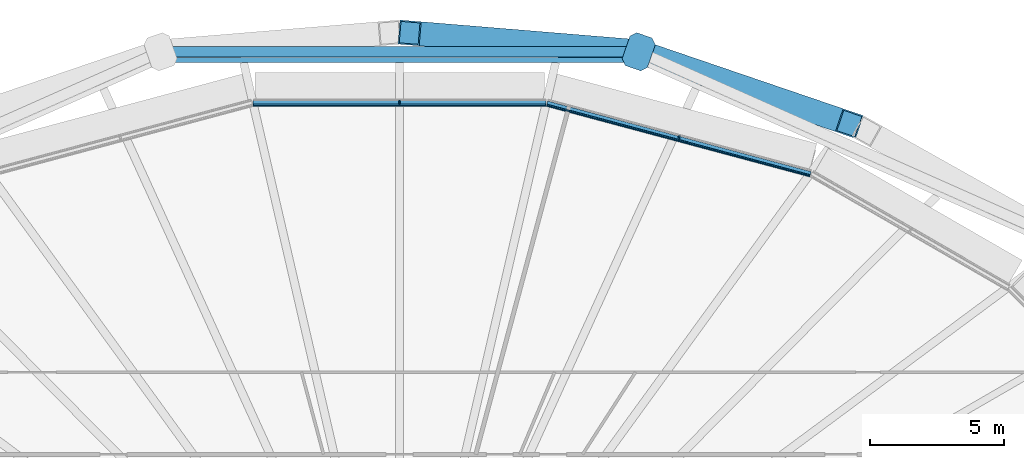
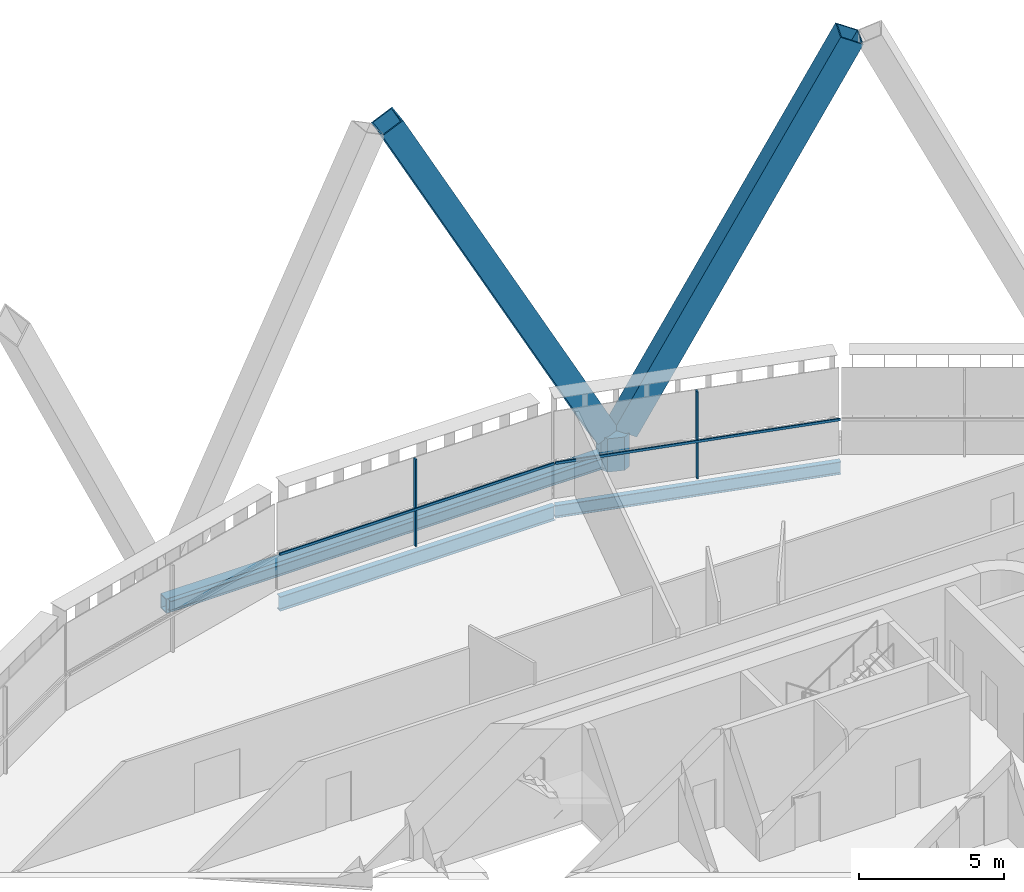
# One storey, part 11 of 26: 7 members, 4 beams, 2 elements without a shape of their own.
"""IFC4 building model written with IfcOpenShell, lengths in metres."""

from ifc_helpers import new_model, si_unit, direction, frame, origin, origin_2d, place, context, subcontext, project, spatial, polyline, rectangle, hollow_rectangle, i_section, outline, extrude, material, layer, layer_set, material_profile, profile_set, type_object, element, aggregate, save


model = new_model("IFC4")

# Units and contexts
model_context = context("Model", 3, precision=1e-05, world=origin(), true_north=direction((0.0, 1.0)))
body_context = subcontext(model_context, "Body", "Model", "MODEL_VIEW")
ifc_project = project(units=[si_unit("LENGTHUNIT", "METRE"), si_unit("AREAUNIT", "SQUARE_METRE"), si_unit("VOLUMEUNIT", "CUBIC_METRE"), si_unit("PLANEANGLEUNIT", "RADIAN"), si_unit("MASSUNIT", "GRAM", prefix="KILO")], contexts=[model_context])

# Site, building, storey
site_placement = place(None, origin())
site = spatial("IfcSite", under=ifc_project, at=site_placement, CompositionType="ELEMENT")
building_placement = place(site_placement, origin())
building = spatial("IfcBuilding", under=site, at=building_placement, Name="Sahrelin Media Tower", CompositionType="ELEMENT")
storey_placement = place(building_placement, frame((0.0, 0.0, 131.39990234375)))
storey = spatial("IfcBuildingStorey", under=building, at=storey_placement, Name="L26", CompositionType="ELEMENT", Elevation=131.39990234375)

# Members
ifc_material_1 = material(Name="Steel S460", Category="steel")
ifc_material_profile_1 = material_profile(ifc_material_1, hollow_rectangle(XDim=0.89990234375, YDim=0.89990234375, WallThickness=0.050048828125, at=origin_2d()), Name="Diagrid diagonal DG3")
ifc_profile_set_1 = profile_set([ifc_material_profile_1], Name="Steel S460")
member_type_1 = type_object("IfcMemberType", Name="Diagrid diagonal DG3", PredefinedType="BRACE", material=ifc_profile_set_1)
member_1_placement = place(storey_placement, frame((9.25732421875, 25.49462890625, 0.7001953125), z_axis=(0.433754821512, -0.147868079685, 0.888814820885), x_axis=(0.322668293279, 0.946512109015, 0.0)))
element("IfcMember", 1, at=member_1_placement, inside=storey, type_object=member_type_1, Name="Diagrid diagonal D05-04", PredefinedType="BRACE", context=body_context, shape_type="SweptSolid", body=[
    extrude(hollow_rectangle(XDim=0.89990234375, YDim=0.89990234375, WallThickness=0.050048828125, at=origin_2d()), origin(), (0.0, 0.0, 1.0), 17.326416015625),
])
member_2_placement = place(storey_placement, frame((8.544189453125, 25.641845703125, 0.7001953125), z_axis=(-0.468421655714, 0.03859318675, 0.882661723649), x_axis=(-0.082111624118, -0.996623138997, 0.0)))
element("IfcMember", 2, at=member_2_placement, inside=storey, type_object=member_type_1, Name="Diagrid diagonal D05-05", PredefinedType="BRACE", context=body_context, shape_type="SweptSolid", body=[
    extrude(hollow_rectangle(XDim=0.89990234375, YDim=0.89990234375, WallThickness=0.050048828125, at=origin_2d()), origin(), (0.0, 0.0, 1.0), 17.447021484375),
])
ifc_material_profile_2 = material_profile(ifc_material_1, outline(polyline([(0.449951171875, -0.5), (0.64990234375, -0.300048828125), (0.64990234375, 0.300048828125), (0.449951171875, 0.5), (-0.449951171875, 0.5), (-0.64990234375, 0.300048828125), (-0.64990234375, -0.300048828125), (-0.449951171875, -0.5), (0.449951171875, -0.5)])), Name="Diagrid node block 1300")
ifc_profile_set_2 = profile_set([ifc_material_profile_2], Name="Steel S460")
member_type_2 = type_object("IfcMemberType", Name="Diagrid node block 1300", PredefinedType="USERDEFINED", material=ifc_profile_set_2)
member_3_placement = place(storey_placement, frame((8.915771484375, 25.611083984375, -0.699951171875), z_axis=(0.0, 0.0, 1.0), x_axis=(0.328769398381, 0.944410230085, 0.0)))
element("IfcMember", 3, at=member_3_placement, inside=storey, type_object=member_type_2, Name="Diagrid node N05-02", ObjectType="NODE", PredefinedType="USERDEFINED", context=body_context, shape_type="SweptSolid", body=[
    extrude(outline(polyline([(0.449951171875, -0.5), (0.64990234375, -0.300048828125), (0.64990234375, 0.300048828125), (0.449951171875, 0.5), (-0.449951171875, 0.5), (-0.64990234375, 0.300048828125), (-0.64990234375, -0.300048828125), (-0.449951171875, -0.5), (0.449951171875, -0.5)])), origin(), (0.0, 0.0, 1.0), 1.400146484375),
])

# Beams
ifc_material_profile_3 = material_profile(ifc_material_1, hollow_rectangle(XDim=0.39990234375, YDim=0.60009765625, WallThickness=0.030029296875, at=origin_2d()), Name="Diagrid ring beam RB1")
ifc_profile_set_3 = profile_set([ifc_material_profile_3], Name="Steel S460")
beam_type_1 = type_object("IfcBeamType", Name="Diagrid ring beam RB1", PredefinedType="BEAM", material=ifc_profile_set_3)
beam_1_placement = place(storey_placement, frame((8.915771484375, 25.611083984375, -0.449951171875), z_axis=(-1.0, 0.0, 0.0), x_axis=(0.0, -1.0, 0.0)))
element("IfcBeam", 4, at=beam_1_placement, inside=storey, type_object=beam_type_1, Name="Diagrid ring beam RB05-02", PredefinedType="BEAM", context=body_context, shape_type="SweptSolid", body=[
    extrude(hollow_rectangle(XDim=0.39990234375, YDim=0.60009765625, WallThickness=0.030029296875, at=origin_2d()), origin(), (0.0, 0.0, 1.0), 17.83154296875),
])
ifc_material_2 = material(Name="Steel S355", Category="steel")
ifc_material_profile_4 = material_profile(ifc_material_2, i_section(OverallWidth=0.208740234375, OverallDepth=0.5283203125, WebThickness=0.009521484375, FlangeThickness=0.01318359375, FilletRadius=0.0126953125, at=origin_2d()), Name="UB 533x210x82")
ifc_profile_set_4 = profile_set([ifc_material_profile_4], Name="Steel S355")
beam_type_2 = type_object("IfcBeamType", Name="Edge beam EB6", PredefinedType="BEAM", material=ifc_profile_set_4)
beam_2_placement = place(storey_placement, frame((5.4921875, 23.673095703125, -0.4140625), z_axis=(0.965933162878, -0.258791663026, 0.0), x_axis=(0.258791663026, 0.965933162878, 0.0)))
element("IfcBeam", 5, at=beam_2_placement, inside=storey, type_object=beam_type_2, Name="Edge beam L26-20", PredefinedType="BEAM", context=body_context, shape_type="SweptSolid", body=[
    extrude(i_section(OverallWidth=0.208740234375, OverallDepth=0.5283203125, WebThickness=0.009521484375, FlangeThickness=0.01318359375, FilletRadius=0.0126953125, at=origin_2d()), origin(), (0.0, 0.0, 1.0), 10.173583984375),
])
ifc_material_profile_5 = material_profile(ifc_material_2, i_section(OverallWidth=0.2275390625, OverallDepth=0.6025390625, WebThickness=0.010498046875, FlangeThickness=0.014892578125, FilletRadius=0.0126953125, at=origin_2d()), Name="UB 610x229x101")
ifc_profile_set_5 = profile_set([ifc_material_profile_5], Name="Steel S355")
beam_type_3 = type_object("IfcBeamType", Name="Edge beam EB7", PredefinedType="BEAM", material=ifc_profile_set_5)
beam_3_placement = place(storey_placement, frame((-5.463623046875, 23.677001953125, -0.451171875), z_axis=(1.0, 0.0, 0.0), x_axis=(0.0, 1.0, 0.0)))
element("IfcBeam", 6, at=beam_3_placement, inside=storey, type_object=beam_type_3, Name="Edge beam L26-19", PredefinedType="BEAM", context=body_context, shape_type="SweptSolid", body=[
    extrude(i_section(OverallWidth=0.2275390625, OverallDepth=0.6025390625, WebThickness=0.010498046875, FlangeThickness=0.014892578125, FilletRadius=0.0126953125, at=origin_2d()), origin(), (0.0, 0.0, 1.0), 10.92724609375),
])

# Curtain wall, member
ifc_material_3 = material(Name="Champagne anodised aluminium 6063-T6", Category="aluminium")
ifc_layer = layer(ifc_material_3, 0.14990234375)
ifc_layer_set = layer_set([ifc_layer], Name="Tower ribbon curtain wall")
curtain_wall_type = type_object("IfcCurtainWallType", Name="Tower ribbon curtain wall", PredefinedType="NOTDEFINED", material=ifc_layer_set)
curtain_wall_1_placement = place(storey_placement, frame((10.4443359375, 22.501708984375, 0.0), z_axis=(0.0, 0.0, 1.0), x_axis=(1.0, 0.0, 0.0)))
curtain_wall_1 = element("IfcCurtainWall", 7, at=curtain_wall_1_placement, inside=storey, type_object=curtain_wall_type, Name="L26:CW:L26-05", PredefinedType="NOTDEFINED")
ifc_material_profile_6 = material_profile(ifc_material_3, rectangle(XDim=0.06005859375, YDim=0.14990234375, at=origin_2d()), Name="Mullion 60x150")
ifc_profile_set_6 = profile_set([ifc_material_profile_6], Name="Champagne anodised aluminium 6063-T6")
member_type_3 = type_object("IfcMemberType", Name="Mullion 60x150 CW1", PredefinedType="MULLION", material=ifc_profile_set_6)
member_4_placement = place(storey_placement, frame((10.419921875, 22.409912109375, 0.0), z_axis=(0.0, 0.0, 1.0), x_axis=(-0.965926278012, 0.258817359244, 0.0)))
member_4 = element("IfcMember", 8, at=member_4_placement, type_object=member_type_3, Name="L26:CWM:L26-05", PredefinedType="MULLION", context=body_context, shape_type="SweptSolid", body=[
    extrude(rectangle(XDim=0.06005859375, YDim=0.14990234375, at=origin_2d()), origin(), (0.0, 0.0, 1.0), 3.648681640625),
])

curtain_wall_2_placement = place(storey_placement, frame((0.0, 23.826904296875, 0.0), z_axis=(0.0, 0.0, 1.0), x_axis=(1.0, 0.0, 0.0)))
curtain_wall_2 = element("IfcCurtainWall", 9, at=curtain_wall_2_placement, inside=storey, type_object=curtain_wall_type, Name="L26:CW:L26-06", PredefinedType="NOTDEFINED")
member_5_placement = place(storey_placement, frame((0.0, 23.73193359375, 0.0), z_axis=(0.0, 0.0, 1.0), x_axis=(-1.0, 0.0, 0.0)))
member_5 = element("IfcMember", 10, at=member_5_placement, type_object=member_type_3, Name="L26:CWM:L26-06", PredefinedType="MULLION", context=body_context, shape_type="SweptSolid", body=[
    extrude(rectangle(XDim=0.06005859375, YDim=0.14990234375, at=origin_2d()), origin(), (0.0, 0.0, 1.0), 3.648681640625),
])

# Beam
ifc_material_profile_7 = material_profile(ifc_material_2, i_section(OverallWidth=0.1904296875, OverallDepth=0.45703125, WebThickness=0.009033203125, FlangeThickness=0.014404296875, FilletRadius=0.01025390625, at=origin_2d()), Name="UB 457x191x74")
ifc_profile_set_7 = profile_set([ifc_material_profile_7], Name="Steel S355")
beam_type_4 = type_object("IfcBeamType", Name="Tie chord TC5", PredefinedType="BEAM", material=ifc_profile_set_7)
beam_4_placement = place(storey_placement, frame((-8.85205078125, 25.31103515625, -0.37841796875), z_axis=(1.0, 0.0, 0.0), x_axis=(0.0, 1.0, 0.0)))
element("IfcBeam", 11, at=beam_4_placement, inside=storey, type_object=beam_type_4, Name="Tie chord L26-10", PredefinedType="BEAM", context=body_context, shape_type="SweptSolid", body=[
    extrude(i_section(OverallWidth=0.1904296875, OverallDepth=0.45703125, WebThickness=0.009033203125, FlangeThickness=0.014404296875, FilletRadius=0.01025390625, at=origin_2d()), origin(), (0.0, 0.0, 1.0), 17.7041015625),
])

# Member
ifc_material_profile_8 = material_profile(ifc_material_3, rectangle(XDim=0.050048828125, YDim=0.10009765625, at=origin_2d()), Name="Transom 50x100")
ifc_profile_set_8 = profile_set([ifc_material_profile_8], Name="Champagne anodised aluminium 6063-T6")
member_type_4 = type_object("IfcMemberType", Name="Transom 50x100 CW1", PredefinedType="USERDEFINED", material=ifc_profile_set_8)
member_6_placement = place(storey_placement, frame((15.2919921875, 21.000732421875, 1.60009765625), z_axis=(-0.965924197151, 0.25882512505, 0.0), x_axis=(-0.25882512505, -0.965924197151, 0.0)))
member_6 = element("IfcMember", 12, at=member_6_placement, type_object=member_type_4, Name="L26:CWT:L26-05", ObjectType="TRANSOM", PredefinedType="USERDEFINED", context=body_context, shape_type="SweptSolid", body=[
    extrude(rectangle(XDim=0.050048828125, YDim=0.10009765625, at=origin_2d()), origin(), (0.0, 0.0, 1.0), 10.14208984375),
])

aggregate(curtain_wall_1, [member_4, member_6])

member_7_placement = place(storey_placement, frame((5.447998046875, 23.632080078125, 1.60009765625), z_axis=(-1.0, 0.0, 0.0), x_axis=(0.0, -1.0, 0.0)))
member_7 = element("IfcMember", 13, at=member_7_placement, type_object=member_type_4, Name="L26:CWT:L26-06", ObjectType="TRANSOM", PredefinedType="USERDEFINED", context=body_context, shape_type="SweptSolid", body=[
    extrude(rectangle(XDim=0.050048828125, YDim=0.10009765625, at=origin_2d()), origin(), (0.0, 0.0, 1.0), 10.89599609375),
])

aggregate(curtain_wall_2, [member_5, member_7])

save(model, "model.ifc")
